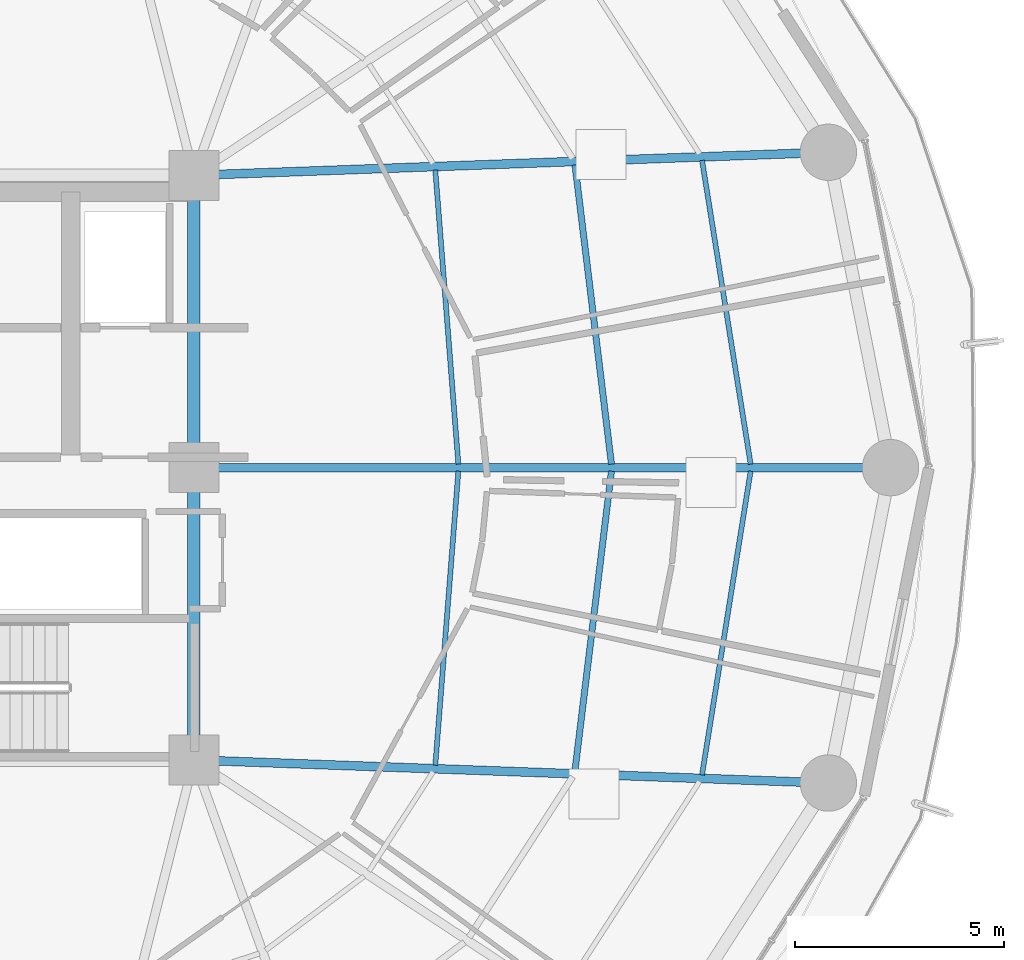
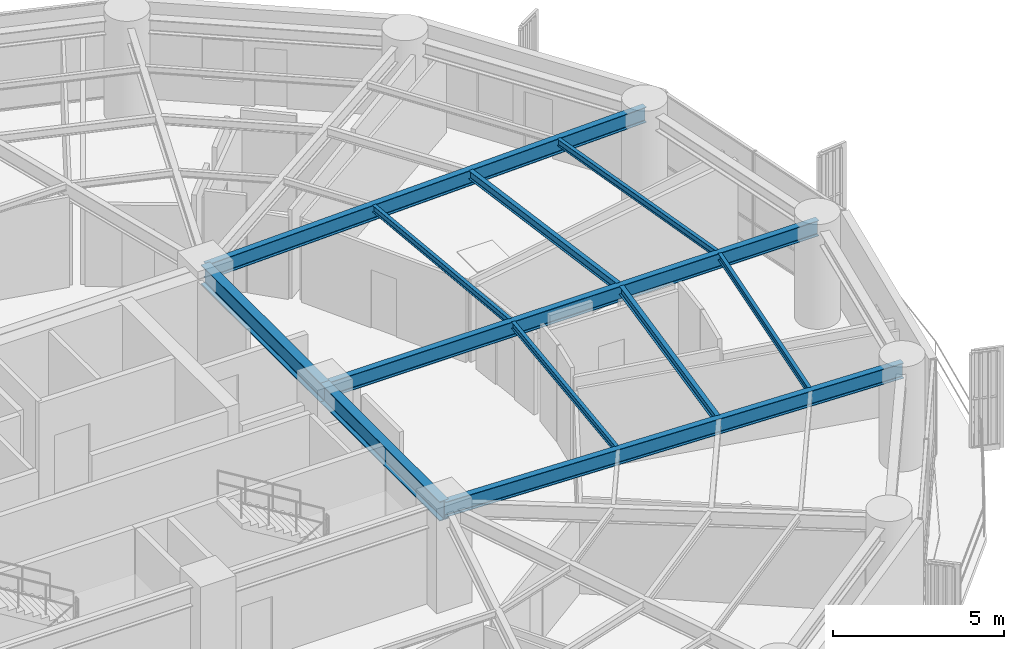
# One storey, part 15 of 35: 11 beams.
"""IFC4 building model written with IfcOpenShell, lengths in metres."""

from ifc_helpers import new_model, si_unit, direction, frame, origin, origin_2d, place, context, subcontext, project, spatial, i_section, extrude, material, material_profile, profile_set, type_object, element, save


model = new_model("IFC4")

# Units and contexts
model_context = context("Model", 3, precision=1e-05, world=origin(), true_north=direction((0.0, 1.0)))
body_context = subcontext(model_context, "Body", "Model", "MODEL_VIEW")
ifc_project = project(units=[si_unit("LENGTHUNIT", "METRE"), si_unit("AREAUNIT", "SQUARE_METRE"), si_unit("VOLUMEUNIT", "CUBIC_METRE"), si_unit("PLANEANGLEUNIT", "RADIAN"), si_unit("MASSUNIT", "GRAM", prefix="KILO")], contexts=[model_context])

# Site, building, storey
site_placement = place(None, origin())
site = spatial("IfcSite", under=ifc_project, at=site_placement, CompositionType="ELEMENT")
building_placement = place(site_placement, origin())
building = spatial("IfcBuilding", under=site, at=building_placement, Name="Kelanora Arch Commons", CompositionType="ELEMENT")
storey_placement = place(building_placement, frame((0.0, 0.0, 121.35009765625)))
storey = spatial("IfcBuildingStorey", under=building, at=storey_placement, Name="L31", CompositionType="ELEMENT", Elevation=121.35009765625)

# Beams
ifc_material = material(Name="Steel S355", Category="steel")
ifc_material_profile_1 = material_profile(ifc_material, i_section(OverallWidth=0.300048828125, OverallDepth=0.699951171875, WebThickness=0.01708984375, FlangeThickness=0.031982421875, FilletRadius=0.027099609375, at=origin_2d()), Name="HEB700")
ifc_profile_set_1 = profile_set([ifc_material_profile_1], Name="Steel S355")
beam_type_1 = type_object("IfcBeamType", Name="BM-CORE-HDR", PredefinedType="BEAM", material=ifc_profile_set_1)
for number, where, z_axis, x_axis, name in (
    (1, (82.0, 51.0, 3.139892578125), (0.0, 1.0, 0.0), (-1.0, 0.0, 0.0), "Core Header Beam 03 L31"),
    (2, (82.0, 58.0, 3.139892578125), (0.0, 1.0, 0.0), (-1.0, 0.0, 0.0), "Core Header Beam 04 L31"),
):
    element("IfcBeam", number, at=place(storey_placement, frame(where, z_axis=z_axis, x_axis=x_axis)), inside=storey, type_object=beam_type_1, Name=name, PredefinedType="BEAM", context=body_context, shape_type="SweptSolid", body=[
        extrude(i_section(OverallWidth=0.300048828125, OverallDepth=0.699951171875, WebThickness=0.01708984375, FlangeThickness=0.031982421875, FilletRadius=0.027099609375, at=origin_2d()), origin(), (0.0, 0.0, 1.0), 7.0),
    ])
ifc_material_profile_2 = material_profile(ifc_material, i_section(OverallWidth=0.14990234375, OverallDepth=0.300048828125, WebThickness=0.007080078125, FlangeThickness=0.0107421875, FilletRadius=0.014892578125, at=origin_2d()), Name="IPE300")
ifc_profile_set_2 = profile_set([ifc_material_profile_2], Name="Steel S355")
beam_type_2 = type_object("IfcBeamType", Name="BM-JST-01", PredefinedType="JOIST", material=ifc_profile_set_2)
for number, where, z_axis, x_axis, name in (
    (3, (91.997802734375, 58.08447265625, 3.33984375), (-0.120935645266, 0.992660349618, 0.0), (-0.992660349618, -0.120935645266, 0.0), "Secondary Chord Joist BJB-00 L31"),
    (4, (91.125244140625, 50.75341796875, 3.33984375), (0.120935645266, 0.992660349618, 0.0), (-0.992660349618, 0.120935645266, 0.0), "Secondary Chord Joist BJB-34 L31"),
):
    element("IfcBeam", number, at=place(storey_placement, frame(where, z_axis=z_axis, x_axis=x_axis)), inside=storey, type_object=beam_type_2, Name=name, PredefinedType="JOIST", context=body_context, shape_type="SweptSolid", body=[
        extrude(i_section(OverallWidth=0.14990234375, OverallDepth=0.300048828125, WebThickness=0.007080078125, FlangeThickness=0.0107421875, FilletRadius=0.014892578125, at=origin_2d()), origin(), (0.0, 0.0, 1.0), 7.215087890625),
    ])
ifc_material_profile_3 = material_profile(ifc_material, i_section(OverallWidth=0.1201171875, OverallDepth=0.239990234375, WebThickness=0.006103515625, FlangeThickness=0.009765625, FilletRadius=0.014892578125, at=origin_2d()), Name="IPE240")
ifc_profile_set_3 = profile_set([ifc_material_profile_3], Name="Steel S355")
beam_type_3 = type_object("IfcBeamType", Name="BM-JST-02", PredefinedType="JOIST", material=ifc_profile_set_3)
beam_1_placement = place(storey_placement, frame((88.331787109375, 58.084716796875, 3.369873046875), z_axis=(-0.078200677502, 0.996937637989, 0.0), x_axis=(-0.996937637989, -0.078200677502, 0.0)))
element("IfcBeam", 5, at=beam_1_placement, inside=storey, type_object=beam_type_3, Name="Secondary Chord Joist BJA-00 L31", PredefinedType="JOIST", context=body_context, shape_type="SweptSolid", body=[
    extrude(i_section(OverallWidth=0.1201171875, OverallDepth=0.239990234375, WebThickness=0.006103515625, FlangeThickness=0.009765625, FilletRadius=0.014892578125, at=origin_2d()), origin(), (0.0, 0.0, 1.0), 7.06201171875),
])
beam_2_placement = place(storey_placement, frame((95.33056640625, 58.083984375, 3.369873046875), z_axis=(-0.157999549894, 0.987439184068, 0.0), x_axis=(-0.987439184068, -0.157999549894, 0.0)))
element("IfcBeam", 6, at=beam_2_placement, inside=storey, type_object=beam_type_3, Name="Secondary Chord Joist BJC-00 L31", PredefinedType="JOIST", context=body_context, shape_type="SweptSolid", body=[
    extrude(i_section(OverallWidth=0.1201171875, OverallDepth=0.239990234375, WebThickness=0.006103515625, FlangeThickness=0.009765625, FilletRadius=0.014892578125, at=origin_2d()), origin(), (0.0, 0.0, 1.0), 7.365966796875),
])
beam_3_placement = place(storey_placement, frame((87.779541015625, 50.875, 3.369873046875), z_axis=(0.078200677502, 0.996937637989, 0.0), x_axis=(-0.996937637989, 0.078200677502, 0.0)))
element("IfcBeam", 7, at=beam_3_placement, inside=storey, type_object=beam_type_3, Name="Secondary Chord Joist BJA-34 L31", PredefinedType="JOIST", context=body_context, shape_type="SweptSolid", body=[
    extrude(i_section(OverallWidth=0.1201171875, OverallDepth=0.239990234375, WebThickness=0.006103515625, FlangeThickness=0.009765625, FilletRadius=0.014892578125, at=origin_2d()), origin(), (0.0, 0.0, 1.0), 7.06201171875),
])
beam_4_placement = place(storey_placement, frame((94.166748046875, 50.642578125, 3.369873046875), z_axis=(0.157999549894, 0.987439184068, 0.0), x_axis=(-0.987439184068, 0.157999549894, 0.0)))
element("IfcBeam", 8, at=beam_4_placement, inside=storey, type_object=beam_type_3, Name="Secondary Chord Joist BJC-34 L31", PredefinedType="JOIST", context=body_context, shape_type="SweptSolid", body=[
    extrude(i_section(OverallWidth=0.1201171875, OverallDepth=0.239990234375, WebThickness=0.006103515625, FlangeThickness=0.009765625, FilletRadius=0.014892578125, at=origin_2d()), origin(), (0.0, 0.0, 1.0), 7.365966796875),
])
ifc_material_profile_4 = material_profile(ifc_material, i_section(OverallWidth=0.2099609375, OverallDepth=0.550048828125, WebThickness=0.010986328125, FlangeThickness=0.01708984375, FilletRadius=0.02392578125, at=origin_2d()), Name="IPE550")
ifc_profile_set_4 = profile_set([ifc_material_profile_4], Name="Steel S355")
beam_type_4 = type_object("IfcBeamType", Name="BM-RAD-Z2", PredefinedType="BEAM", material=ifc_profile_set_4)
beam_5_placement = place(storey_placement, frame((82.0, 58.0, 3.21484375), z_axis=(1.0, 0.0, 0.0), x_axis=(0.0, 1.0, 0.0)))
element("IfcBeam", 9, at=beam_5_placement, inside=storey, type_object=beam_type_4, Name="Radial Floor Girder BR-00 L31", PredefinedType="BEAM", context=body_context, shape_type="SweptSolid", body=[
    extrude(i_section(OverallWidth=0.2099609375, OverallDepth=0.550048828125, WebThickness=0.010986328125, FlangeThickness=0.01708984375, FilletRadius=0.02392578125, at=origin_2d()), origin(), (0.0, 0.0, 1.0), 16.679931640625),
])
for number, where, z_axis, x_axis, name in (
    (10, (82.0, 65.0, 3.21484375), (0.999341087625, 0.036295875581, 0.0), (-0.036295875581, 0.999341087625, 0.0), "Radial Floor Girder BR-02 L31"),
    (11, (82.0, 51.0, 3.21484375), (0.999341087625, -0.036295875581, 0.0), (0.036295875581, 0.999341087625, 0.0), "Radial Floor Girder BR-34 L31"),
):
    element("IfcBeam", number, at=place(storey_placement, frame(where, z_axis=z_axis, x_axis=x_axis)), inside=storey, type_object=beam_type_4, Name=name, PredefinedType="BEAM", context=body_context, shape_type="SweptSolid", body=[
        extrude(i_section(OverallWidth=0.2099609375, OverallDepth=0.550048828125, WebThickness=0.010986328125, FlangeThickness=0.01708984375, FilletRadius=0.02392578125, at=origin_2d()), origin(), (0.0, 0.0, 1.0), 15.20166015625),
    ])

save(model, "model.ifc")
